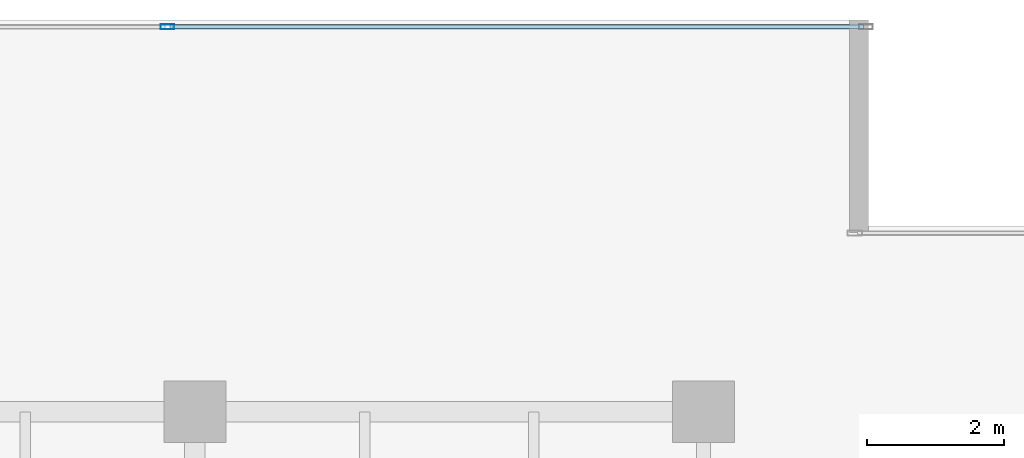
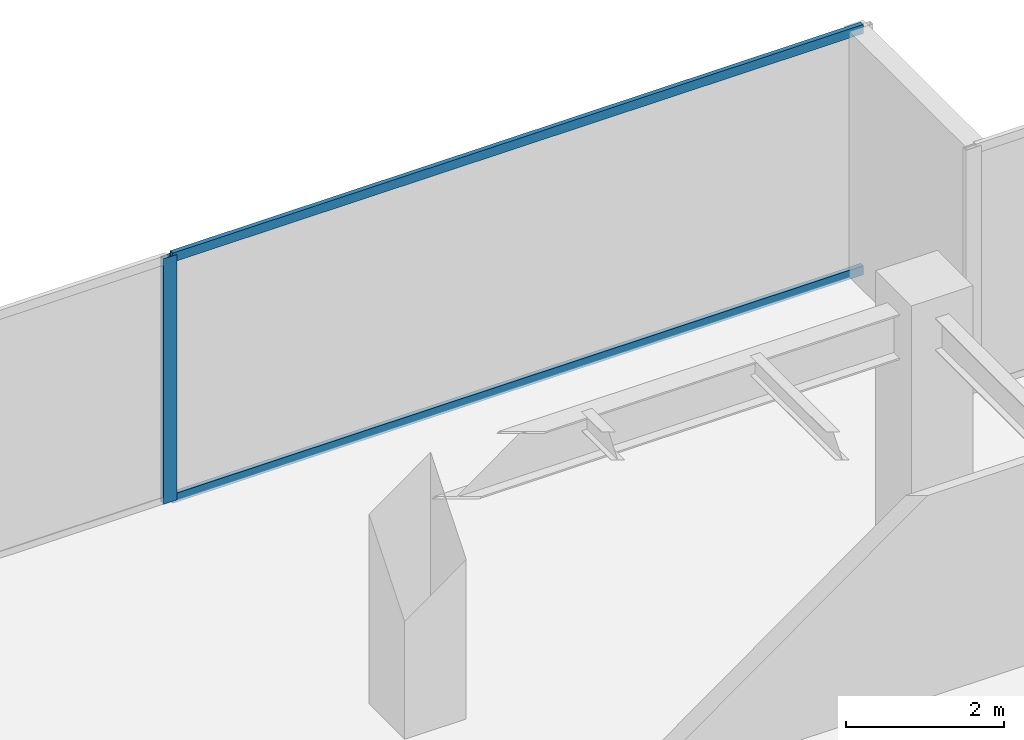
# One storey, part 20 of 30: 3 members, 1 element without a shape of its own.
"""IFC4 building model written with IfcOpenShell, lengths in metres."""

import ifcopenshell
import ifcopenshell.guid

model = None  # the IFC model being written
_history = None  # IfcOwnerHistory: only IFC2X3 demands one
_inside = {}  # id of a spatial element -> (the spatial element, [elements in it])
_under = {}  # id of a project, library or spatial element -> (it, [spatial elements below it])
_declared = {}  # id of a project -> (the project, [libraries it declares])
_typed = {}  # id of a type object -> (the type object, [elements of that type])
_made_of = {}  # id of a material, layer set ... -> (it, [elements and type objects made of it])


def new_model(schema):
    """Start an empty IFC model of exactly this schema.

    Asked for "IFC4X3", IfcOpenShell would pick the latest addendum, in which some entities
    have other attributes; the version numbers below select the first issue.
    IFC2X3 requires an IfcOwnerHistory on every rooted entity: one is made here for all.
    """
    global model, _history
    if schema == "IFC4X3":
        model = ifcopenshell.file(schema_version=(4, 3, 0, 0))
    else:
        model = ifcopenshell.file(schema=schema)
    _inside.clear()
    _under.clear()
    _declared.clear()
    _typed.clear()
    _made_of.clear()
    _history = None
    if model.schema == "IFC2X3":
        org = make("IfcOrganization", Name="unknown")
        user = make(
            "IfcPersonAndOrganization",
            ThePerson=make("IfcPerson", FamilyName="unknown"),
            TheOrganization=org,
        )
        app = make(
            "IfcApplication",
            ApplicationDeveloper=org,
            Version="unknown",
            ApplicationFullName="unknown",
            ApplicationIdentifier="unknown",
        )
        _history = make(
            "IfcOwnerHistory",
            OwningUser=user,
            OwningApplication=app,
            ChangeAction="ADDED",
            CreationDate=0,
        )
    return model


def make(cls, **values):
    """One entity of the class cls with the attributes given. An attribute that is None is left unset."""
    return model.create_entity(
        cls, **{name: value for name, value in values.items() if value is not None}
    )


def rooted(cls, **values):
    """An entity with a GlobalId (a new one), such as an element, a storey or a relation."""
    return make(cls, GlobalId=ifcopenshell.guid.new(), OwnerHistory=_history, **values)


def si_unit(unit_type, name, prefix=None):
    """IfcSIUnit, for example si_unit("LENGTHUNIT", "METRE", prefix="MILLI")."""
    return make("IfcSIUnit", UnitType=unit_type, Prefix=prefix, Name=name)


def assignment(units):
    """IfcUnitAssignment: the units of a project."""
    return None if units is None else make("IfcUnitAssignment", Units=units)


def point(xyz):
    """IfcCartesianPoint."""
    return None if xyz is None else make("IfcCartesianPoint", Coordinates=xyz)


def direction(xyz):
    """IfcDirection."""
    return None if xyz is None else make("IfcDirection", DirectionRatios=xyz)


def frame(location, z_axis=None, x_axis=None):
    """IfcAxis2Placement3D, a coordinate frame: its origin and axes. An axis left out is left unset."""
    return make(
        "IfcAxis2Placement3D",
        Location=point(location),
        Axis=direction(z_axis),
        RefDirection=direction(x_axis),
    )


def frame_2d(location, x_axis=None):
    """IfcAxis2Placement2D, a coordinate frame in the plane: its origin and x axis."""
    return make(
        "IfcAxis2Placement2D", Location=point(location), RefDirection=direction(x_axis)
    )


def origin():
    """The frame at (0, 0, 0) with its axes left unset."""
    return frame((0.0, 0.0, 0.0))


def origin_2d():
    """The frame at (0, 0) in the plane with its x axis left unset."""
    return frame_2d((0.0, 0.0))


def place(relative_to, where):
    """IfcLocalPlacement: puts the frame where relative to a parent placement (None: the world)."""
    return make(
        "IfcLocalPlacement", PlacementRelTo=relative_to, RelativePlacement=where
    )


def context(
    kind, dimensions, precision=None, world=None, true_north=None, identifier=None
):
    """IfcGeometricRepresentationContext, for example the 3D "Model" context."""
    return make(
        "IfcGeometricRepresentationContext",
        ContextIdentifier=identifier,
        ContextType=kind,
        CoordinateSpaceDimension=dimensions,
        Precision=precision,
        WorldCoordinateSystem=world,
        TrueNorth=true_north,
    )


def subcontext(parent, identifier, kind, view, scale=None):
    """IfcGeometricRepresentationSubContext, for example "Body" below "Model"."""
    return make(
        "IfcGeometricRepresentationSubContext",
        ContextIdentifier=identifier,
        ContextType=kind,
        ParentContext=parent,
        TargetScale=scale,
        TargetView=view,
    )


def project(units=None, contexts=None):
    """IfcProject with its units and contexts."""
    return rooted(
        "IfcProject",
        Name="project",
        RepresentationContexts=contexts,
        UnitsInContext=assignment(units),
    )


def spatial(cls, under=None, at=None, **own):
    """A site, building, storey or space (cls), placed at a placement, below another one or the project."""
    s = rooted(cls, ObjectPlacement=at, **own)
    if under is not None:
        _under.setdefault(under.id(), (under, []))[1].append(s)
    return s


def profile(cls, at=None, kind="AREA", **sizes):
    """A parametric profile (cls). Its sizes go by their IFC names, for example OverallWidth=200.0."""
    return make(cls, ProfileType=kind, Position=at, **sizes)


def hollow_rectangle(**sizes):
    """IfcRectangleHollowProfileDef."""
    return profile("IfcRectangleHollowProfileDef", **sizes)


def extrude(swept, where, along, depth):
    """IfcExtrudedAreaSolid: the profile swept, set in the frame where, extruded along a direction by depth."""
    return make(
        "IfcExtrudedAreaSolid",
        SweptArea=swept,
        Position=where,
        ExtrudedDirection=direction(along),
        Depth=depth,
    )


def shape(context_of_items, identifier, shape_type, items):
    """IfcShapeRepresentation: the items that make up one representation, for example the "Body"."""
    return make(
        "IfcShapeRepresentation",
        ContextOfItems=context_of_items,
        RepresentationIdentifier=identifier,
        RepresentationType=shape_type,
        Items=items,
    )


def source(mapping_origin, context_of_items, identifier, shape_type, items):
    """IfcRepresentationMap: a shape defined once, which mapped items show again and again."""
    return make(
        "IfcRepresentationMap",
        MappingOrigin=mapping_origin,
        MappedRepresentation=shape(context_of_items, identifier, shape_type, items),
    )


def transform(
    local_origin,
    x_axis=None,
    y_axis=None,
    z_axis=None,
    scale=None,
    scale2=None,
    scale3=None,
    uniform=True,
):
    """IfcCartesianTransformationOperator3D, or its non-uniform kind. x_axis, y_axis, z_axis: its Axis1, 2, 3."""
    if uniform:
        return make(
            "IfcCartesianTransformationOperator3D",
            Axis1=direction(x_axis),
            Axis2=direction(y_axis),
            LocalOrigin=point(local_origin),
            Scale=scale,
            Axis3=direction(z_axis),
        )
    return make(
        "IfcCartesianTransformationOperator3DnonUniform",
        Axis1=direction(x_axis),
        Axis2=direction(y_axis),
        LocalOrigin=point(local_origin),
        Scale=scale,
        Axis3=direction(z_axis),
        Scale2=scale2,
        Scale3=scale3,
    )


def mapped(mapping_source, mapping_target):
    """IfcMappedItem: shows the shape of a source again, moved by a transform."""
    return make(
        "IfcMappedItem", MappingSource=mapping_source, MappingTarget=mapping_target
    )


def material(Name=None, Category=None):
    """IfcMaterial."""
    return make("IfcMaterial", Name=Name, Category=Category)


def layer(
    of_material, thickness, ventilated=None, Name=None, Category=None, Priority=None
):
    """IfcMaterialLayer: one layer of a wall or slab, of a material (None: an air gap)."""
    return make(
        "IfcMaterialLayer",
        Material=of_material,
        LayerThickness=thickness,
        IsVentilated=ventilated,
        Name=Name,
        Category=Category,
        Priority=Priority,
    )


def layer_set(layers, Name=None):
    """IfcMaterialLayerSet."""
    return make("IfcMaterialLayerSet", MaterialLayers=layers, LayerSetName=Name)


def material_profile(
    of_material, cross_section, Name=None, Category=None, Priority=None
):
    """IfcMaterialProfile: a cross section and its material."""
    return make(
        "IfcMaterialProfile",
        Name=Name,
        Material=of_material,
        Profile=cross_section,
        Priority=Priority,
        Category=Category,
    )


def profile_set(profiles, Name=None, composite=None):
    """IfcMaterialProfileSet."""
    return make(
        "IfcMaterialProfileSet",
        Name=Name,
        MaterialProfiles=profiles,
        CompositeProfile=composite,
    )


def made_of(thing, what):
    """Note that an element or type object is made of a material, layer set ...; save() writes the relation."""
    if what is not None:
        _made_of.setdefault(what.id(), (what, []))[1].append(thing)
    return thing


def type_object(cls, material=None, **own):
    """A type object (cls), such as IfcWallType, which elements share."""
    return made_of(rooted(cls, **own), material)


def type_shapes(of_type, sources):
    """Give a type object the sources (RepresentationMaps) that its elements show as mapped items."""
    of_type.RepresentationMaps = sources


def element(
    cls,
    number,
    at=None,
    inside=None,
    cuts=None,
    type_object=None,
    material=None,
    context=None,
    identifier="Body",
    shape_type=None,
    held_by="IfcProductDefinitionShape",
    body=None,
    shapes=None,
    **own,
):
    """One element of the class cls, such as IfcWall. Its Tag is "e" and its number.

    at: its placement. inside: the storey or other place that contains it. cuts: it is an
    opening in that element (IfcRelVoidsElement). A single representation is given by context,
    identifier, shape_type and body (its items); several are given by shapes. held_by: the class
    of the entity that holds the representations. save() writes the other relations.
    """
    e = rooted(cls, Tag="e%d" % number, ObjectPlacement=at, **own)
    if body is not None:
        shapes = [shape(context, identifier, shape_type, body)]
    if shapes is not None:
        e.Representation = make(held_by, Representations=shapes)
    if inside is not None:
        _inside.setdefault(inside.id(), (inside, []))[1].append(e)
    if cuts is not None:
        rooted(
            "IfcRelVoidsElement", RelatingBuildingElement=cuts, RelatedOpeningElement=e
        )
    if type_object is not None:
        _typed.setdefault(type_object.id(), (type_object, []))[1].append(e)
    return made_of(e, material)


def aggregate(whole, parts):
    """IfcRelAggregates: a whole, such as a stair, and the parts it consists of."""
    return rooted("IfcRelAggregates", RelatingObject=whole, RelatedObjects=parts)


def save(model, path):
    """Write the relations noted so far, then the file.

    IfcRelAggregates (storeys below a building ...), IfcRelContainedInSpatialStructure (elements
    in a storey), IfcRelDefinesByType, IfcRelAssociatesMaterial and IfcRelDeclares: one each for
    every whole, place, type object, material and project.
    """
    for whole, parts in _under.values():
        aggregate(whole, parts)
    for where, things in _inside.values():
        rooted(
            "IfcRelContainedInSpatialStructure",
            RelatedElements=things,
            RelatingStructure=where,
        )
    for kind, things in _typed.values():
        rooted("IfcRelDefinesByType", RelatedObjects=things, RelatingType=kind)
    for what, things in _made_of.values():
        rooted("IfcRelAssociatesMaterial", RelatedObjects=things, RelatingMaterial=what)
    for by, libraries in _declared.values():
        rooted("IfcRelDeclares", RelatingContext=by, RelatedDefinitions=libraries)
    model.write(path)


model = new_model("IFC4")

# Units and contexts
model_context = context("Model", 3, precision=1e-05, world=origin(), true_north=direction((0.0, 1.0)))
body_context = subcontext(model_context, "Body", "Model", "MODEL_VIEW")
ifc_project = project(units=[si_unit("LENGTHUNIT", "METRE"), si_unit("AREAUNIT", "SQUARE_METRE"), si_unit("VOLUMEUNIT", "CUBIC_METRE"), si_unit("PLANEANGLEUNIT", "RADIAN"), si_unit("MASSUNIT", "GRAM", prefix="KILO")], contexts=[model_context])

# Site, building, storey
site_placement = place(None, origin())
site = spatial("IfcSite", under=ifc_project, at=site_placement, CompositionType="ELEMENT")
building_placement = place(site_placement, origin())
building = spatial("IfcBuilding", under=site, at=building_placement, Name="Haelvirn Gate Laboratories", CompositionType="ELEMENT")
storey_placement = place(building_placement, frame((0.0, 0.0, 129.699951171875)))
storey = spatial("IfcBuildingStorey", under=building, at=storey_placement, Name="L31", CompositionType="ELEMENT", Elevation=129.699951171875)

# Curtain wall, members
ifc_material_1 = material(Name="Anodised bronze unitised aluminium & triple low-E glass", Category="aluminium")
ifc_layer = layer(ifc_material_1, 0.179931640625, Name="CW-SYS-3")
ifc_layer_set = layer_set([ifc_layer], Name="Anodised bronze unitised aluminium & triple low-E glass")
curtain_wall_type = type_object("IfcCurtainWallType", Name="CW-SYS-3", PredefinedType="NOTDEFINED", material=ifc_layer_set)
curtain_wall_placement = place(storey_placement, origin())
curtain_wall = element("IfcCurtainWall", 1, at=curtain_wall_placement, inside=storey, type_object=curtain_wall_type, Name="L31 Unitised Curtain Wall CW-L31-P0-E10-1", PredefinedType="NOTDEFINED")
ifc_material_2 = material(Name="Extruded aluminium 6063-T6 (anodised bronze)", Category="aluminium")
ifc_material_profile_1 = material_profile(ifc_material_2, hollow_rectangle(XDim=0.06494140625, YDim=0.139892578125, WallThickness=0.00390625, at=origin_2d()), Name="CWT-140x65x4")
ifc_profile_set_1 = profile_set([ifc_material_profile_1], Name="Extruded aluminium 6063-T6 (anodised bronze)")
member_type_1 = type_object("IfcMemberType", Name="CWT-T140", PredefinedType="USERDEFINED", material=ifc_profile_set_1)
shared_shape_1 = source(origin(), body_context, "Body", "SweptSolid", [
    extrude(hollow_rectangle(XDim=0.06494140625, YDim=0.139892578125, WallThickness=0.00390625, at=origin_2d()), origin(), (0.0, 0.0, 1.0), 10.087646484375),
])
type_shapes(member_type_1, [shared_shape_1])
member_1_placement = place(storey_placement, frame((59.637451171875, 47.199951171875, 0.032470703125), z_axis=(1.0, 0.0, 0.0), x_axis=(0.0, 1.0, 0.0)))
member_1 = element("IfcMember", 2, at=member_1_placement, type_object=member_type_1, Name="CW3 transom 2.1", ObjectType="TRANSOM", PredefinedType="USERDEFINED", context=body_context, shape_type="MappedRepresentation", body=[
    mapped(shared_shape_1, transform((0.0, 0.0, 0.0), scale=1.0)),
])
member_2_placement = place(storey_placement, frame((59.637451171875, 47.199951171875, 3.757568359375), z_axis=(1.0, 0.0, 0.0), x_axis=(0.0, 1.0, 0.0)))
member_2 = element("IfcMember", 3, at=member_2_placement, type_object=member_type_1, Name="CW3 transom 2.2", ObjectType="TRANSOM", PredefinedType="USERDEFINED", context=body_context, shape_type="MappedRepresentation", body=[
    mapped(shared_shape_1, transform((0.0, 0.0, 0.0), scale=1.0)),
])
ifc_material_profile_2 = material_profile(ifc_material_2, hollow_rectangle(XDim=0.074951171875, YDim=0.199951171875, WallThickness=0.0048828125, at=origin_2d()), Name="CWM-200x75x5")
ifc_profile_set_2 = profile_set([ifc_material_profile_2], Name="Extruded aluminium 6063-T6 (anodised bronze)")
member_type_2 = type_object("IfcMemberType", Name="CWM-T200", PredefinedType="MULLION", material=ifc_profile_set_2)
shared_shape_2 = source(origin(), body_context, "Body", "SweptSolid", [
    extrude(hollow_rectangle(XDim=0.074951171875, YDim=0.199951171875, WallThickness=0.0048828125, at=origin_2d()), origin(), (0.0, 0.0, 1.0), 3.7900390625),
])
type_shapes(member_type_2, [shared_shape_2])
member_3_placement = place(storey_placement, frame((59.60009765625, 47.199951171875, 0.0), z_axis=(0.0, 0.0, 1.0), x_axis=(0.0, 1.0, 0.0)))
member_3 = element("IfcMember", 4, at=member_3_placement, type_object=member_type_2, Name="CW3 mullion 2", PredefinedType="MULLION", context=body_context, shape_type="MappedRepresentation", body=[
    mapped(shared_shape_2, transform((0.0, 0.0, 0.0), scale=1.0)),
])
aggregate(curtain_wall, [member_3, member_1, member_2])

save(model, "model.ifc")
